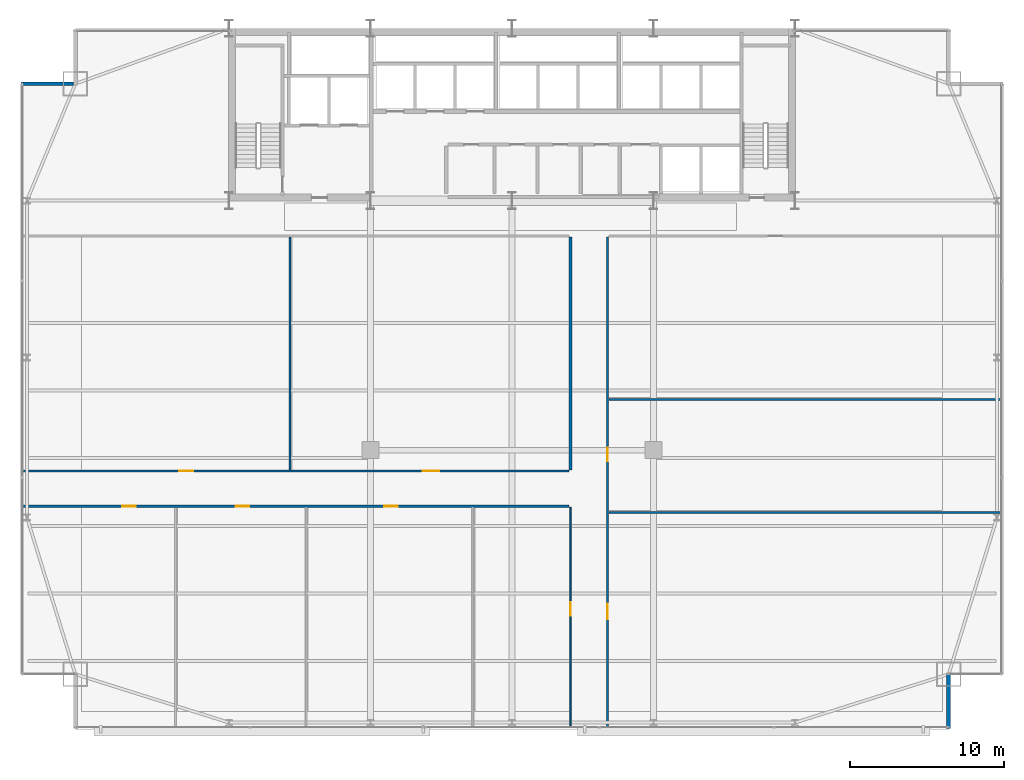
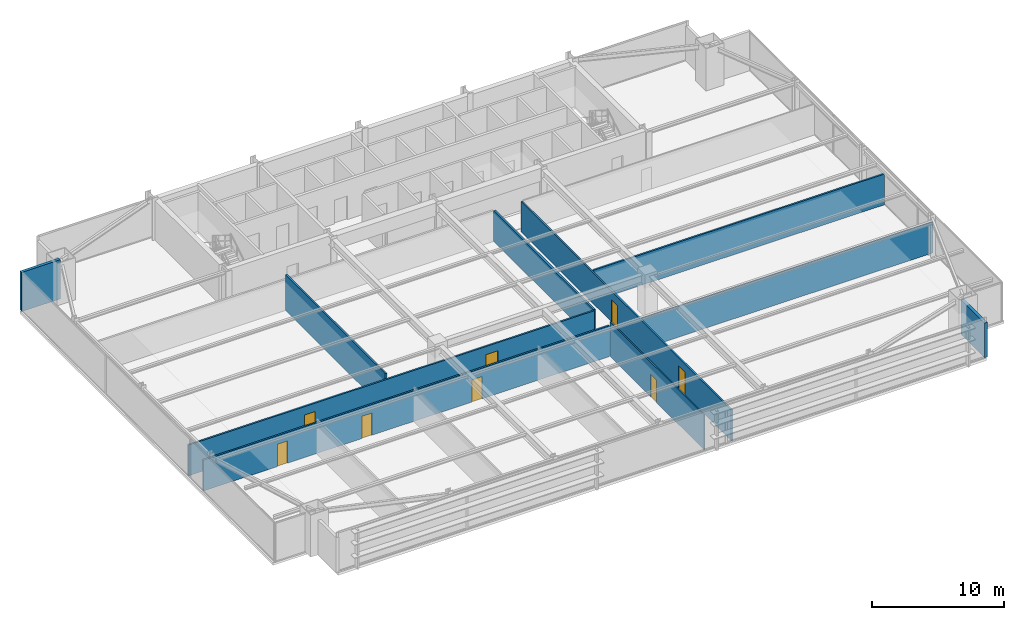
# One storey, part 26 of 30: 10 walls, 8 doors, 8 openings.
"""IFC4 building model written with IfcOpenShell, lengths in metres."""

from ifc_helpers import new_model, si_unit, direction, frame, frame_2d, origin, place, context, subcontext, project, spatial, rectangle, extrude, source, transform, mapped, material, layer, layer_set, type_object, type_shapes, element, fill, save


model = new_model("IFC4")

# Units and contexts
model_context = context("Model", 3, precision=1e-05, world=origin(), true_north=direction((0.0, 1.0)))
body_context = subcontext(model_context, "Body", "Model", "MODEL_VIEW")
ifc_project = project(units=[si_unit("LENGTHUNIT", "METRE"), si_unit("AREAUNIT", "SQUARE_METRE"), si_unit("VOLUMEUNIT", "CUBIC_METRE"), si_unit("PLANEANGLEUNIT", "RADIAN"), si_unit("MASSUNIT", "GRAM", prefix="KILO")], contexts=[model_context])

# Site, building, storey
site_placement = place(None, origin())
site = spatial("IfcSite", under=ifc_project, at=site_placement, CompositionType="ELEMENT")
building_placement = place(site_placement, origin())
building = spatial("IfcBuilding", under=site, at=building_placement, Name="Varnel Quay Broadcast Tower", CompositionType="ELEMENT")
storey_placement = place(building_placement, frame((0.0, 0.0, 62.699951171875)))
storey = spatial("IfcBuildingStorey", under=building, at=storey_placement, Name="L14", CompositionType="ELEMENT", Elevation=62.699951171875)

# Walls
ifc_material_1 = material(Name="Precast Architectural Concrete C40/50", Category="concrete")
ifc_layer_1 = layer(ifc_material_1, 0.25, Name="Precast Architectural Concrete C40/50")
ifc_layer_set_1 = layer_set([ifc_layer_1], Name="Precast Architectural Concrete C40/50")
wall_type_1 = type_object("IfcWallType", Name="Wall_ExtTerrace250", PredefinedType="SOLIDWALL", material=ifc_layer_set_1)
wall_1_placement = place(storey_placement, frame((62.39990234375, 1.280029296875, 0.0), z_axis=(0.0, 0.0, 1.0), x_axis=(0.0, 1.0, 0.0)))
element("IfcWall", 1, at=wall_1_placement, inside=storey, type_object=wall_type_1, Name="L14 Mega-Column Notch Cladding Wall NSE2", PredefinedType="SOLIDWALL", context=body_context, shape_type="SweptSolid", body=[
    extrude(rectangle(XDim=3.599853515625, YDim=0.25, at=frame_2d((1.7998046875, 0.0))), origin(), (0.0, 0.0, 1.0), 3.2080078125),
])
wall_2_placement = place(storey_placement, frame((2.080078125, 43.199951171875, 0.0), z_axis=(0.0, 0.0, 1.0), x_axis=(1.0, 0.0, 0.0)))
element("IfcWall", 2, at=wall_2_placement, inside=storey, type_object=wall_type_1, Name="L14 Mega-Column Notch Cladding Wall NNW1", PredefinedType="SOLIDWALL", context=body_context, shape_type="SweptSolid", body=[
    extrude(rectangle(XDim=3.389892578125, YDim=0.25, at=frame_2d((1.69482421875, 0.0))), origin(), (0.0, 0.0, 1.0), 3.630126953125),
])

# Wall, opening, door
ifc_material_2 = material(Name="Steel-Stud Fire-Rated Acoustic Gypsum Partition Assembly", Category="steel")
ifc_layer_2 = layer(ifc_material_2, 0.10498046875, Name="Steel-Stud Fire-Rated Acoustic Gypsum Partition Assembly")
ifc_layer_set_2 = layer_set([ifc_layer_2], Name="Steel-Stud Fire-Rated Acoustic Gypsum Partition Assembly")
wall_type_2 = type_object("IfcWallType", Name="Wall_Partition105", PredefinedType="PARTITIONING", material=ifc_layer_set_2)
wall_3_placement = place(storey_placement, frame((37.81005859375, 1.3798828125, 0.0), z_axis=(0.0, 0.0, 1.0), x_axis=(0.0, 1.0, 0.0)))
wall_3 = element("IfcWall", 3, at=wall_3_placement, inside=storey, type_object=wall_type_2, Name="L14 Ingest Vault Store 4 Partition 12", PredefinedType="PARTITIONING", context=body_context, shape_type="SweptSolid", body=[
    extrude(rectangle(XDim=14.26513671875, YDim=0.10498046875, at=frame_2d((7.132568359375, 0.0))), origin(), (0.0, 0.0, 1.0), 3.2080078125),
])
opening_1_placement = place(wall_3_placement, frame((7.2099609375, 0.0, 0.0)))
opening_1 = element("IfcOpeningElement", 4, at=opening_1_placement, cuts=wall_3, Name="Opening D-L14-09", PredefinedType="OPENING", context=body_context, shape_type="SweptSolid", body=[
    extrude(rectangle(XDim=0.8798828125, YDim=2.06005859375, at=frame_2d((0.43994140625, 1.030029296875))), frame((0.0, 0.0625, 0.0), z_axis=(0.0, -1.0, 0.0), x_axis=(1.0, 0.0, 0.0)), (0.0, 0.0, 1.0), 0.125),
])
ifc_material_3 = material(Name="Solid-Core Fire-Rated Acoustic Oak Veneer Door", Category="wood")
door_type_1 = type_object("IfcDoorType", Name="Door_Booth880", OperationType="NOTDEFINED", PredefinedType="DOOR", material=ifc_material_3)
shared_shape_1 = source(origin(), body_context, "Body", "SweptSolid", [
    extrude(rectangle(XDim=0.8798828125, YDim=2.06005859375, at=frame_2d((0.43994140625, 1.030029296875))), frame((0.0, 0.02490234375, 0.0), z_axis=(0.0, -1.0, 0.0), x_axis=(1.0, 0.0, 0.0)), (0.0, 0.0, 1.0), 0.050048828125),
])
type_shapes(door_type_1, [shared_shape_1])
door_1_placement = place(opening_1_placement, origin())
door_1 = element("IfcDoor", 5, at=door_1_placement, inside=storey, type_object=door_type_1, Name="L14 Ingest Vault Store 4 Door D-L14-09", OperationType="SINGLE_SWING_RIGHT", OverallHeight=2.06005859375, OverallWidth=0.8798828125, PredefinedType="DOOR", context=body_context, shape_type="MappedRepresentation", body=[
    mapped(shared_shape_1, transform((0.0, 0.0, 0.0), x_axis=(1.0, 0.0, 0.0), y_axis=(0.0, 1.0, 0.0), z_axis=(0.0, 0.0, 1.0), scale=1.0)),
])
fill(opening_1, door_1)

# Wall
ifc_layer_3 = layer(ifc_material_2, 0.139892578125, Name="Steel-Stud Fire-Rated Acoustic Gypsum Partition Assembly")
ifc_layer_set_3 = layer_set([ifc_layer_3], Name="Steel-Stud Fire-Rated Acoustic Gypsum Partition Assembly")
wall_type_3 = type_object("IfcWallType", Name="Wall_Partition140", PredefinedType="PARTITIONING", material=ifc_layer_set_3)
wall_4_placement = place(storey_placement, frame((40.31005859375, 15.320068359375, 0.0), z_axis=(0.0, 0.0, 1.0), x_axis=(1.0, 0.0, 0.0)))
element("IfcWall", 6, at=wall_4_placement, inside=storey, type_object=wall_type_3, Name="L14 Producer Lounge 7 Partition 17", PredefinedType="PARTITIONING", context=body_context, shape_type="SweptSolid", body=[
    extrude(rectangle(XDim=25.510009765625, YDim=0.139892578125, at=frame_2d((12.7548828125, 0.0))), origin(), (0.0, 0.0, 1.0), 2.85205078125),
])

# Wall, openings, doors
wall_5_placement = place(storey_placement, frame((40.2099609375, 1.3798828125, 0.0), z_axis=(0.0, 0.0, 1.0), x_axis=(0.0, 1.0, 0.0)))
wall_5 = element("IfcWall", 7, at=wall_5_placement, inside=storey, type_object=wall_type_3, Name="L14 Producer Lounge 7 Partition 18", PredefinedType="PARTITIONING", context=body_context, shape_type="SweptSolid", body=[
    extrude(rectangle(XDim=31.8671875, YDim=0.139892578125, at=frame_2d((15.93359375, 0.0))), origin(), (0.0, 0.0, 1.0), 2.85205078125),
])
opening_2_placement = place(wall_5_placement, frame((7.0, 0.0, 0.0)))
opening_2 = element("IfcOpeningElement", 8, at=opening_2_placement, cuts=wall_5, Name="Opening D-L14-12", PredefinedType="OPENING", context=body_context, shape_type="SweptSolid", body=[
    extrude(rectangle(XDim=1.0, YDim=2.10009765625, at=frame_2d((0.5, 1.050048828125))), frame((0.0, 0.080078125, 0.0), z_axis=(0.0, -1.0, 0.0), x_axis=(1.0, 0.0, 0.0)), (0.0, 0.0, 1.0), 0.159912109375),
])
opening_3_placement = place(wall_5_placement, frame((17.27490234375, 0.0, 0.0)))
opening_3 = element("IfcOpeningElement", 9, at=opening_3_placement, cuts=wall_5, Name="Opening D-L14-13", PredefinedType="OPENING", context=body_context, shape_type="SweptSolid", body=[
    extrude(rectangle(XDim=0.8798828125, YDim=2.06005859375, at=frame_2d((0.43994140625, 1.030029296875))), frame((0.0, 0.080078125, 0.0), z_axis=(0.0, -1.0, 0.0), x_axis=(1.0, 0.0, 0.0)), (0.0, 0.0, 1.0), 0.159912109375),
])
door_2_placement = place(opening_3_placement, frame((0.8798828125, 0.0, 0.0), z_axis=(0.0, 0.0, 1.0), x_axis=(-1.0, 0.0, 0.0)))
door_2 = element("IfcDoor", 10, at=door_2_placement, inside=storey, type_object=door_type_1, Name="L14 Tea Kitchen 8 Door D-L14-13", OperationType="SINGLE_SWING_RIGHT", OverallHeight=2.06005859375, OverallWidth=0.8798828125, PredefinedType="DOOR", context=body_context, shape_type="MappedRepresentation", body=[
    mapped(shared_shape_1, transform((0.0, 0.0, 0.0), x_axis=(1.0, 0.0, 0.0), y_axis=(0.0, 1.0, 0.0), z_axis=(0.0, 0.0, 1.0), scale=1.0)),
])
fill(opening_3, door_2)
door_type_2 = type_object("IfcDoorType", Name="Door_Exec1000", OperationType="NOTDEFINED", PredefinedType="DOOR", material=ifc_material_3)
shared_shape_2 = source(origin(), body_context, "Body", "SweptSolid", [
    extrude(rectangle(XDim=1.0, YDim=2.10009765625, at=frame_2d((0.5, 1.050048828125))), frame((0.0, 0.02490234375, 0.0), z_axis=(0.0, -1.0, 0.0), x_axis=(1.0, 0.0, 0.0)), (0.0, 0.0, 1.0), 0.050048828125),
])
type_shapes(door_type_2, [shared_shape_2])
door_3_placement = place(opening_2_placement, frame((1.0, 0.0, 0.0), z_axis=(0.0, 0.0, 1.0), x_axis=(-1.0, 0.0, 0.0)))
door_3 = element("IfcDoor", 11, at=door_3_placement, inside=storey, type_object=door_type_2, Name="L14 Producer Lounge 7 Door D-L14-12", OperationType="SINGLE_SWING_LEFT", OverallHeight=2.10009765625, OverallWidth=1.0, PredefinedType="DOOR", context=body_context, shape_type="MappedRepresentation", body=[
    mapped(shared_shape_2, transform((0.0, 0.0, 0.0), x_axis=(1.0, 0.0, 0.0), y_axis=(0.0, 1.0, 0.0), z_axis=(0.0, 0.0, 1.0), scale=1.0)),
])
fill(opening_2, door_3)

ifc_layer_4 = layer(ifc_material_2, 0.14990234375, Name="Steel-Stud Fire-Rated Acoustic Gypsum Partition Assembly")
ifc_layer_set_4 = layer_set([ifc_layer_4], Name="Steel-Stud Fire-Rated Acoustic Gypsum Partition Assembly")
wall_type_4 = type_object("IfcWallType", Name="Wall_Partition150", PredefinedType="PARTITIONING", material=ifc_layer_set_4)
wall_6_placement = place(storey_placement, frame((2.179931640625, 15.719970703125, 0.0), z_axis=(0.0, 0.0, 1.0), x_axis=(1.0, 0.0, 0.0)))
wall_6 = element("IfcWall", 12, at=wall_6_placement, inside=storey, type_object=wall_type_4, Name="L14 Tea Kitchen 1 Partition 9", PredefinedType="PARTITIONING", context=body_context, shape_type="SweptSolid", body=[
    extrude(rectangle(XDim=35.530029296875, YDim=0.14990234375, at=frame_2d((17.76513671875, 0.0))), origin(), (0.0, 0.0, 1.0), 2.85205078125),
])
opening_4_placement = place(wall_6_placement, frame((6.4599609375, 0.0, 0.0)))
opening_4 = element("IfcOpeningElement", 13, at=opening_4_placement, cuts=wall_6, Name="Opening D-L14-06", PredefinedType="OPENING", context=body_context, shape_type="SweptSolid", body=[
    extrude(rectangle(XDim=0.8798828125, YDim=2.06005859375, at=frame_2d((0.43994140625, 1.030029296875))), frame((0.0, 0.0849609375, 0.0), z_axis=(0.0, -1.0, 0.0), x_axis=(1.0, 0.0, 0.0)), (0.0, 0.0, 1.0), 0.169921875),
])
opening_5_placement = place(wall_6_placement, frame((13.840087890625, 0.0, 0.0)))
opening_5 = element("IfcOpeningElement", 14, at=opening_5_placement, cuts=wall_6, Name="Opening D-L14-07", PredefinedType="OPENING", context=body_context, shape_type="SweptSolid", body=[
    extrude(rectangle(XDim=0.8798828125, YDim=2.06005859375, at=frame_2d((0.43994140625, 1.030029296875))), frame((0.0, 0.0849609375, 0.0), z_axis=(0.0, -1.0, 0.0), x_axis=(1.0, 0.0, 0.0)), (0.0, 0.0, 1.0), 0.169921875),
])
opening_6_placement = place(wall_6_placement, frame((23.510009765625, 0.0, 0.0)))
opening_6 = element("IfcOpeningElement", 15, at=opening_6_placement, cuts=wall_6, Name="Opening D-L14-08", PredefinedType="OPENING", context=body_context, shape_type="SweptSolid", body=[
    extrude(rectangle(XDim=0.8798828125, YDim=2.06005859375, at=frame_2d((0.43994140625, 1.030029296875))), frame((0.0, 0.0849609375, 0.0), z_axis=(0.0, -1.0, 0.0), x_axis=(1.0, 0.0, 0.0)), (0.0, 0.0, 1.0), 0.169921875),
])
door_4_placement = place(opening_4_placement, frame((0.8798828125, 0.0, 0.0), z_axis=(0.0, 0.0, 1.0), x_axis=(-1.0, 0.0, 0.0)))
door_4 = element("IfcDoor", 16, at=door_4_placement, inside=storey, type_object=door_type_1, Name="L14 Tea Kitchen 1 Door D-L14-06", OperationType="SINGLE_SWING_LEFT", OverallHeight=2.06005859375, OverallWidth=0.8798828125, PredefinedType="DOOR", context=body_context, shape_type="MappedRepresentation", body=[
    mapped(shared_shape_1, transform((0.0, 0.0, 0.0), x_axis=(1.0, 0.0, 0.0), y_axis=(0.0, 1.0, 0.0), z_axis=(0.0, 0.0, 1.0), scale=1.0)),
])
fill(opening_4, door_4)
door_5_placement = place(opening_5_placement, frame((0.8798828125, 0.0, 0.0), z_axis=(0.0, 0.0, 1.0), x_axis=(-1.0, 0.0, 0.0)))
door_5 = element("IfcDoor", 17, at=door_5_placement, inside=storey, type_object=door_type_1, Name="L14 Media Tape Archive Store 2 Door D-L14-07", OperationType="SINGLE_SWING_RIGHT", OverallHeight=2.06005859375, OverallWidth=0.8798828125, PredefinedType="DOOR", context=body_context, shape_type="MappedRepresentation", body=[
    mapped(shared_shape_1, transform((0.0, 0.0, 0.0), x_axis=(1.0, 0.0, 0.0), y_axis=(0.0, 1.0, 0.0), z_axis=(0.0, 0.0, 1.0), scale=1.0)),
])
fill(opening_5, door_5)
door_6_placement = place(opening_6_placement, frame((0.8798828125, 0.0, 0.0), z_axis=(0.0, 0.0, 1.0), x_axis=(-1.0, 0.0, 0.0)))
door_6 = element("IfcDoor", 18, at=door_6_placement, inside=storey, type_object=door_type_1, Name="L14 Lens & Rigging Store 3 Door D-L14-08", OperationType="SINGLE_SWING_LEFT", OverallHeight=2.06005859375, OverallWidth=0.8798828125, PredefinedType="DOOR", context=body_context, shape_type="MappedRepresentation", body=[
    mapped(shared_shape_1, transform((0.0, 0.0, 0.0), x_axis=(1.0, 0.0, 0.0), y_axis=(0.0, 1.0, 0.0), z_axis=(0.0, 0.0, 1.0), scale=1.0)),
])
fill(opening_6, door_6)

wall_7_placement = place(storey_placement, frame((2.179931640625, 18.02001953125, 0.0), z_axis=(0.0, 0.0, 1.0), x_axis=(1.0, 0.0, 0.0)))
wall_7 = element("IfcWall", 19, at=wall_7_placement, inside=storey, type_object=wall_type_4, Name="L14 Color Timing Suite 5 Partition 13", PredefinedType="PARTITIONING", context=body_context, shape_type="SweptSolid", body=[
    extrude(rectangle(XDim=35.530029296875, YDim=0.14990234375, at=frame_2d((17.76513671875, 0.0))), origin(), (0.0, 0.0, 1.0), 2.85205078125),
])
opening_7_placement = place(wall_7_placement, frame((10.1650390625, 0.0, 0.0)))
opening_7 = element("IfcOpeningElement", 20, at=opening_7_placement, cuts=wall_7, Name="Opening D-L14-10", PredefinedType="OPENING", context=body_context, shape_type="SweptSolid", body=[
    extrude(rectangle(XDim=0.919921875, YDim=2.080078125, at=frame_2d((0.4599609375, 1.0400390625))), frame((0.0, 0.0849609375, 0.0), z_axis=(0.0, -1.0, 0.0), x_axis=(1.0, 0.0, 0.0)), (0.0, 0.0, 1.0), 0.169921875),
])
opening_8_placement = place(wall_7_placement, frame((26.030029296875, 0.0, 0.0)))
opening_8 = element("IfcOpeningElement", 21, at=opening_8_placement, cuts=wall_7, Name="Opening D-L14-11", PredefinedType="OPENING", context=body_context, shape_type="SweptSolid", body=[
    extrude(rectangle(XDim=1.050048828125, YDim=2.10009765625, at=frame_2d((0.52490234375, 1.050048828125))), frame((0.0, 0.0849609375, 0.0), z_axis=(0.0, -1.0, 0.0), x_axis=(1.0, 0.0, 0.0)), (0.0, 0.0, 1.0), 0.169921875),
])
door_type_3 = type_object("IfcDoorType", Name="Door_Office920", OperationType="NOTDEFINED", PredefinedType="DOOR", material=ifc_material_3)
shared_shape_3 = source(origin(), body_context, "Body", "SweptSolid", [
    extrude(rectangle(XDim=0.919921875, YDim=2.080078125, at=frame_2d((0.4599609375, 1.0400390625))), frame((0.0, 0.02490234375, 0.0), z_axis=(0.0, -1.0, 0.0), x_axis=(1.0, 0.0, 0.0)), (0.0, 0.0, 1.0), 0.050048828125),
])
type_shapes(door_type_3, [shared_shape_3])
door_7_placement = place(opening_7_placement, origin())
door_7 = element("IfcDoor", 22, at=door_7_placement, inside=storey, type_object=door_type_3, Name="L14 Color Timing Suite 5 Door D-L14-10", OperationType="SINGLE_SWING_LEFT", OverallHeight=2.080078125, OverallWidth=0.919921875, PredefinedType="DOOR", context=body_context, shape_type="MappedRepresentation", body=[
    mapped(shared_shape_3, transform((0.0, 0.0, 0.0), x_axis=(1.0, 0.0, 0.0), y_axis=(0.0, 1.0, 0.0), z_axis=(0.0, 0.0, 1.0), scale=1.0)),
])
fill(opening_7, door_7)
door_type_4 = type_object("IfcDoorType", Name="Door_Meeting1050", OperationType="NOTDEFINED", PredefinedType="DOOR", material=ifc_material_3)
shared_shape_4 = source(origin(), body_context, "Body", "SweptSolid", [
    extrude(rectangle(XDim=1.050048828125, YDim=2.10009765625, at=frame_2d((0.52490234375, 1.050048828125))), frame((0.0, 0.02490234375, 0.0), z_axis=(0.0, -1.0, 0.0), x_axis=(1.0, 0.0, 0.0)), (0.0, 0.0, 1.0), 0.050048828125),
])
type_shapes(door_type_4, [shared_shape_4])
door_8_placement = place(opening_8_placement, origin())
door_8 = element("IfcDoor", 23, at=door_8_placement, inside=storey, type_object=door_type_4, Name="L14 Screening Meeting Room 6 Door D-L14-11", OperationType="SINGLE_SWING_RIGHT", OverallHeight=2.10009765625, OverallWidth=1.050048828125, PredefinedType="DOOR", context=body_context, shape_type="MappedRepresentation", body=[
    mapped(shared_shape_4, transform((0.0, 0.0, 0.0), x_axis=(1.0, 0.0, 0.0), y_axis=(0.0, 1.0, 0.0), z_axis=(0.0, 0.0, 1.0), scale=1.0)),
])
fill(opening_8, door_8)

# Walls
wall_8_placement = place(storey_placement, frame((19.56005859375, 18.094970703125, 0.0), z_axis=(0.0, 0.0, 1.0), x_axis=(0.0, 1.0, 0.0)))
element("IfcWall", 24, at=wall_8_placement, inside=storey, type_object=wall_type_4, Name="L14 Color Timing Suite 5 Partition 14", PredefinedType="PARTITIONING", context=body_context, shape_type="SweptSolid", body=[
    extrude(rectangle(XDim=15.130126953125, YDim=0.14990234375, at=frame_2d((7.56494140625, 0.0))), origin(), (0.0, 0.0, 1.0), 3.322021484375),
])
wall_9_placement = place(storey_placement, frame((40.31005859375, 22.669921875, 0.0), z_axis=(0.0, 0.0, 1.0), x_axis=(1.0, 0.0, 0.0)))
element("IfcWall", 25, at=wall_9_placement, inside=storey, type_object=wall_type_4, Name="L14 Tea Kitchen 8 Partition 19", PredefinedType="PARTITIONING", context=body_context, shape_type="SweptSolid", body=[
    extrude(rectangle(XDim=25.510009765625, YDim=0.14990234375, at=frame_2d((12.7548828125, 0.0))), origin(), (0.0, 0.0, 1.0), 2.85205078125),
])
ifc_layer_5 = layer(ifc_material_2, 0.175048828125, Name="Steel-Stud Fire-Rated Acoustic Gypsum Partition Assembly")
ifc_layer_set_5 = layer_set([ifc_layer_5], Name="Steel-Stud Fire-Rated Acoustic Gypsum Partition Assembly")
wall_type_5 = type_object("IfcWallType", Name="Wall_Partition175", PredefinedType="PARTITIONING", material=ifc_layer_set_5)
wall_10_placement = place(storey_placement, frame((37.81005859375, 18.094970703125, 0.0), z_axis=(0.0, 0.0, 1.0), x_axis=(0.0, 1.0, 0.0)))
element("IfcWall", 26, at=wall_10_placement, inside=storey, type_object=wall_type_5, Name="L14 Screening Meeting Room 6 Partition 16", PredefinedType="PARTITIONING", context=body_context, shape_type="SweptSolid", body=[
    extrude(rectangle(XDim=15.130126953125, YDim=0.175048828125, at=frame_2d((7.56494140625, 0.0))), origin(), (0.0, 0.0, 1.0), 2.85205078125),
])

save(model, "model.ifc")
